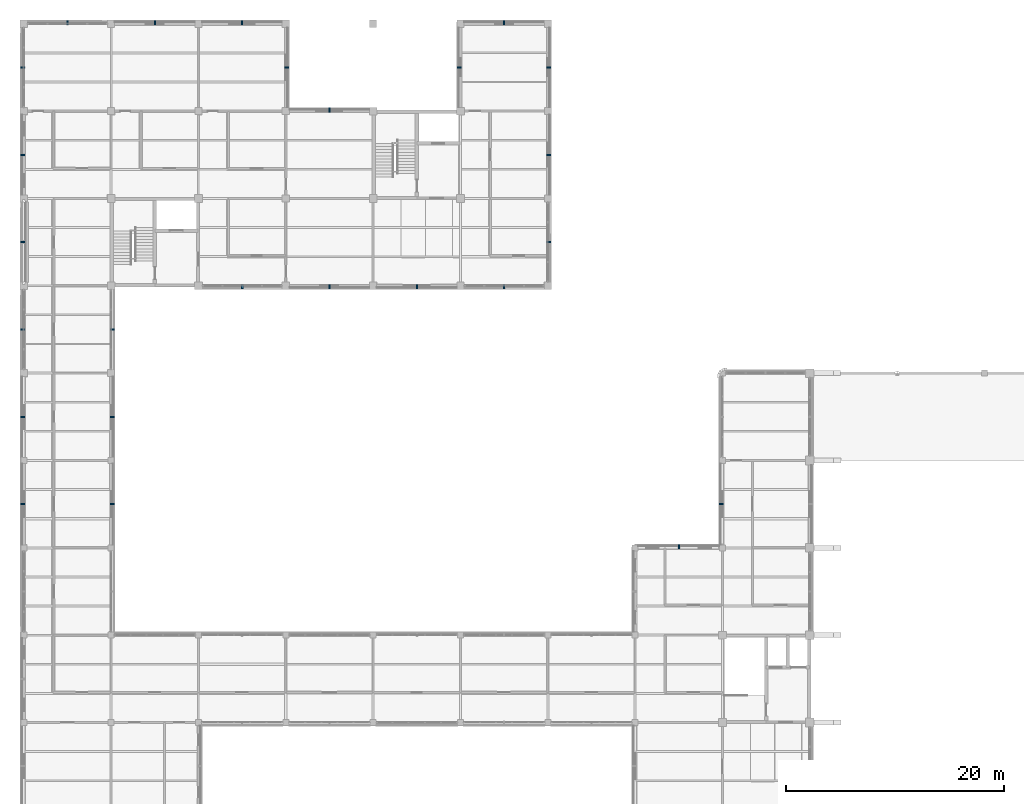
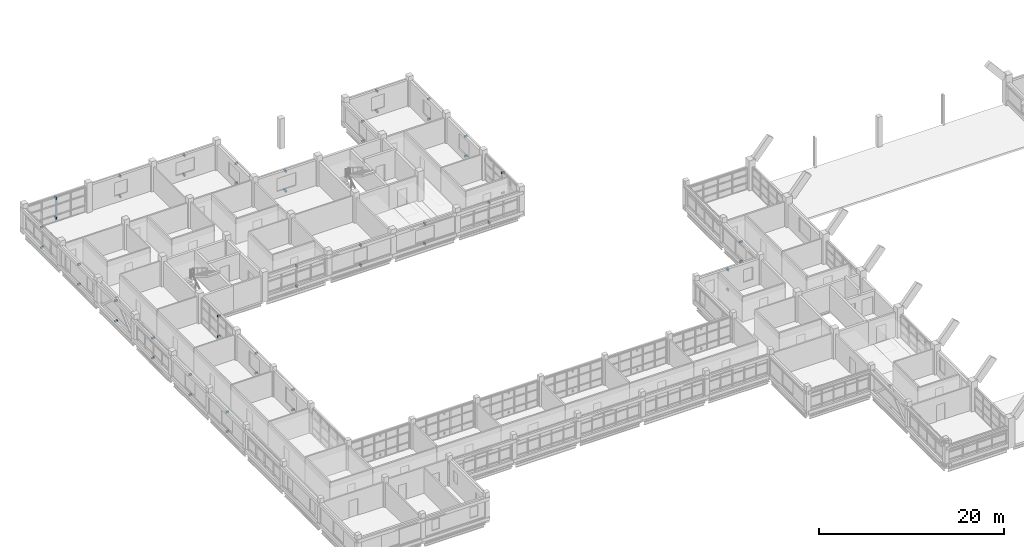
# One storey, part 79 of 92: 50 discrete accessories.
"""IFC4 building model written with IfcOpenShell, lengths in metres."""

from ifc_helpers import new_model, si_unit, derived_unit, direction, frame, origin, origin_2d, place, context, subcontext, project, spatial, rectangle, extrude, material, type_object, element, save


model = new_model("IFC4")

# Units and contexts
model_context = context("Model", 3, precision=1e-05, world=origin(), true_north=direction((0.0, 1.0)))
body_context = subcontext(model_context, "Body", "Model", "MODEL_VIEW")
ifc_project = project(units=[si_unit("LENGTHUNIT", "METRE"), si_unit("AREAUNIT", "SQUARE_METRE"), si_unit("VOLUMEUNIT", "CUBIC_METRE"), si_unit("PLANEANGLEUNIT", "RADIAN"), si_unit("MASSUNIT", "GRAM", prefix="KILO"), derived_unit("THERMALTRANSMITTANCEUNIT", [(si_unit("MASSUNIT", "GRAM", prefix="KILO"), 1), (si_unit("TIMEUNIT", "SECOND"), -3), (si_unit("THERMODYNAMICTEMPERATUREUNIT", "KELVIN"), -1)])], contexts=[model_context])

# Site, building, storey
site_placement = place(None, origin())
site = spatial("IfcSite", under=ifc_project, at=site_placement, CompositionType="ELEMENT")
building_placement = place(site_placement, origin())
building = spatial("IfcBuilding", under=site, at=building_placement, Name="Veyamyaing Civic Hall", CompositionType="ELEMENT")
storey_placement = place(building_placement, frame((0.0, 0.0, 17.820068359375)))
storey = spatial("IfcBuildingStorey", under=building, at=storey_placement, Name="L04", CompositionType="ELEMENT", Elevation=17.820068359375)

# Discrete accessories
ifc_material = material(Name="Steel S355J2", Category="steel")
discrete_accessory_type = type_object("IfcDiscreteAccessoryType", Name="BK-01", PredefinedType="BRACKET", material=ifc_material)
for number, where, z_axis, x_axis, name in (
    (1, (-0.10009765625, 68.0, 2.94482421875), (0.0, 0.0, 1.0), (-1.0, 0.0, 0.0), "Sunshade anchor bracket BK-01 L04 W 1.9"),
    (2, (-0.10009765625, 68.0, 0.35986328125), (0.0, 0.0, 1.0), (-1.0, 0.0, 0.0), "Lower ribbon anchor bracket BK-01 L04 W 1.9"),
    (3, (8.10009765625, 68.0, 3.0087890625), (0.0, 0.0, 1.0), (1.0, 0.0, 0.0), "Sunshade anchor bracket BK-01 L04 E 1.9"),
    (4, (8.10009765625, 68.0, 0.35986328125), (0.0, 0.0, 1.0), (1.0, 0.0, 0.0), "Lower ribbon anchor bracket BK-01 L04 E 1.9"),
    (5, (-0.10009765625, 75.97509765625, 3.02880859375), (0.0, 0.0, 1.0), (-1.0, 0.0, 0.0), "Sunshade anchor bracket BK-01 L04 W 1.10"),
    (6, (-0.10009765625, 75.97509765625, 0.35986328125), (0.0, 0.0, 1.0), (-1.0, 0.0, 0.0), "Lower ribbon anchor bracket BK-01 L04 W 1.10"),
    (7, (8.10009765625, 75.97509765625, 2.96875), (0.0, 0.0, 1.0), (1.0, 0.0, 0.0), "Sunshade anchor bracket BK-01 L04 E 1.10"),
    (8, (8.10009765625, 75.97509765625, 0.35986328125), (0.0, 0.0, 1.0), (1.0, 0.0, 0.0), "Lower ribbon anchor bracket BK-01 L04 E 1.10"),
    (9, (-0.10009765625, 84.0, 2.96875), (0.0, 0.0, 1.0), (-1.0, 0.0, 0.0), "Sunshade anchor bracket BK-01 L04 W 1.11"),
    (10, (-0.10009765625, 84.0, 0.35986328125), (0.0, 0.0, 1.0), (-1.0, 0.0, 0.0), "Lower ribbon anchor bracket BK-01 L04 W 1.11"),
    (11, (8.10009765625, 83.987548828125, 3.03173828125), (0.0, 0.0, 1.0), (1.0, 0.0, 0.0), "Sunshade anchor bracket BK-01 L04 E 1.11"),
    (12, (8.10009765625, 83.987548828125, 0.35986328125), (0.0, 0.0, 1.0), (1.0, 0.0, 0.0), "Lower ribbon anchor bracket BK-01 L04 E 1.11"),
    (13, (-0.10009765625, 92.0, 3.037109375), (0.0, 0.0, 1.0), (-1.0, 0.0, 0.0), "Sunshade anchor bracket BK-01 L04 W 1.12"),
    (14, (-0.10009765625, 92.0, 0.35986328125), (0.0, 0.0, 1.0), (-1.0, 0.0, 0.0), "Lower ribbon anchor bracket BK-01 L04 W 1.12"),
    (15, (-0.10009765625, 100.0, 2.9697265625), (0.0, 0.0, 1.0), (-1.0, 0.0, 0.0), "Sunshade anchor bracket BK-01 L04 W 1.13"),
    (16, (-0.10009765625, 100.0, 0.35986328125), (0.0, 0.0, 1.0), (-1.0, 0.0, 0.0), "Lower ribbon anchor bracket BK-01 L04 W 1.13"),
    (17, (4.0, 112.10009765625, 2.97412109375), (0.0, 0.0, 1.0), (0.0, 1.0, 0.0), "Sunshade anchor bracket BK-01 L04 N 1.14"),
    (18, (4.0, 112.10009765625, 0.35986328125), (0.0, 0.0, 1.0), (0.0, 1.0, 0.0), "Lower ribbon anchor bracket BK-01 L04 N 1.14"),
    (19, (-0.10009765625, 108.0, 3.0341796875), (0.0, 0.0, 1.0), (-1.0, 0.0, 0.0), "Sunshade anchor bracket BK-01 L04 W 1.14"),
    (20, (-0.10009765625, 108.0, 0.35986328125), (0.0, 0.0, 1.0), (-1.0, 0.0, 0.0), "Lower ribbon anchor bracket BK-01 L04 W 1.14"),
    (21, (12.0, 112.10009765625, 3.037109375), (0.0, 0.0, 1.0), (0.0, 1.0, 0.0), "Sunshade anchor bracket BK-01 L04 N 2.14"),
    (22, (12.0, 112.10009765625, 0.35986328125), (0.0, 0.0, 1.0), (0.0, 1.0, 0.0), "Lower ribbon anchor bracket BK-01 L04 N 2.14"),
    (23, (20.012451171875, 87.89990234375, 3.0341796875), (0.0, 0.0, 1.0), (0.0, -1.0, 0.0), "Sunshade anchor bracket BK-01 L04 S 3.12"),
    (24, (20.012451171875, 87.89990234375, 0.35986328125), (0.0, 0.0, 1.0), (0.0, -1.0, 0.0), "Lower ribbon anchor bracket BK-01 L04 S 3.12"),
    (25, (20.0, 112.10009765625, 2.94482421875), (0.0, 0.0, 1.0), (0.0, 1.0, 0.0), "Sunshade anchor bracket BK-01 L04 N 3.14"),
    (26, (20.0, 112.10009765625, 0.35986328125), (0.0, 0.0, 1.0), (0.0, 1.0, 0.0), "Lower ribbon anchor bracket BK-01 L04 N 3.14"),
    (27, (24.10009765625, 108.0, 2.94482421875), (0.0, 0.0, 1.0), (1.0, 0.0, 0.0), "Sunshade anchor bracket BK-01 L04 E 3.14"),
    (28, (24.10009765625, 108.0, 0.35986328125), (0.0, 0.0, 1.0), (1.0, 0.0, 0.0), "Lower ribbon anchor bracket BK-01 L04 E 3.14"),
    (29, (28.0, 87.89990234375, 2.97412109375), (0.0, 0.0, 1.0), (0.0, -1.0, 0.0), "Sunshade anchor bracket BK-01 L04 S 4.12"),
    (30, (28.0, 87.89990234375, 0.35986328125), (0.0, 0.0, 1.0), (0.0, -1.0, 0.0), "Lower ribbon anchor bracket BK-01 L04 S 4.12"),
    (31, (27.987548828125, 104.10009765625, 2.9697265625), (0.0, 0.0, 1.0), (0.0, 1.0, 0.0), "Sunshade anchor bracket BK-01 L04 N 4.13"),
    (32, (27.987548828125, 104.10009765625, 0.35986328125), (0.0, 0.0, 1.0), (0.0, 1.0, 0.0), "Lower ribbon anchor bracket BK-01 L04 N 4.13"),
    (33, (36.0, 87.89990234375, 3.037109375), (0.0, 0.0, 1.0), (0.0, -1.0, 0.0), "Sunshade anchor bracket BK-01 L04 S 5.12"),
    (34, (36.0, 87.89990234375, 0.35986328125), (0.0, 0.0, 1.0), (0.0, -1.0, 0.0), "Lower ribbon anchor bracket BK-01 L04 S 5.12"),
    (35, (44.0, 87.89990234375, 2.9697265625), (0.0, 0.0, 1.0), (0.0, -1.0, 0.0), "Sunshade anchor bracket BK-01 L04 S 6.12"),
    (36, (44.0, 87.89990234375, 0.35986328125), (0.0, 0.0, 1.0), (0.0, -1.0, 0.0), "Lower ribbon anchor bracket BK-01 L04 S 6.12"),
    (37, (48.10009765625, 92.0, 3.0341796875), (0.0, 0.0, 1.0), (1.0, 0.0, 0.0), "Sunshade anchor bracket BK-01 L04 E 6.12"),
    (38, (48.10009765625, 92.0, 0.35986328125), (0.0, 0.0, 1.0), (1.0, 0.0, 0.0), "Lower ribbon anchor bracket BK-01 L04 E 6.12"),
    (39, (48.10009765625, 100.0, 2.97412109375), (0.0, 0.0, 1.0), (1.0, 0.0, 0.0), "Sunshade anchor bracket BK-01 L04 E 6.13"),
    (40, (48.10009765625, 100.0, 0.35986328125), (0.0, 0.0, 1.0), (1.0, 0.0, 0.0), "Lower ribbon anchor bracket BK-01 L04 E 6.13"),
    (41, (44.0, 112.10009765625, 3.037109375), (0.0, 0.0, 1.0), (0.0, 1.0, 0.0), "Sunshade anchor bracket BK-01 L04 N 6.14"),
    (42, (44.0, 112.10009765625, 0.35986328125), (0.0, 0.0, 1.0), (0.0, 1.0, 0.0), "Lower ribbon anchor bracket BK-01 L04 N 6.14"),
    (43, (39.89990234375, 108.012451171875, 2.97412109375), (0.0, 0.0, 1.0), (-1.0, 0.0, 0.0), "Sunshade anchor bracket BK-01 L04 W 6.14"),
    (44, (39.89990234375, 108.012451171875, 0.35986328125), (0.0, 0.0, 1.0), (-1.0, 0.0, 0.0), "Lower ribbon anchor bracket BK-01 L04 W 6.14"),
    (45, (48.10009765625, 108.0, 3.037109375), (0.0, 0.0, 1.0), (1.0, 0.0, 0.0), "Sunshade anchor bracket BK-01 L04 E 6.14"),
    (46, (48.10009765625, 108.0, 0.35986328125), (0.0, 0.0, 1.0), (1.0, 0.0, 0.0), "Lower ribbon anchor bracket BK-01 L04 E 6.14"),
    (47, (60.0, 64.10009765625, 3.01171875), (0.0, 0.0, 1.0), (0.0, 1.0, 0.0), "Sunshade anchor bracket BK-01 L04 N 8.8"),
    (48, (60.0, 64.10009765625, 0.35986328125), (0.0, 0.0, 1.0), (0.0, 1.0, 0.0), "Lower ribbon anchor bracket BK-01 L04 N 8.8"),
    (49, (63.89990234375, 68.0, 2.94482421875), (0.0, 0.0, 1.0), (-1.0, 0.0, 0.0), "Sunshade anchor bracket BK-01 L04 W 9.9"),
    (50, (63.89990234375, 68.0, 0.35986328125), (0.0, 0.0, 1.0), (-1.0, 0.0, 0.0), "Lower ribbon anchor bracket BK-01 L04 W 9.9"),
):
    element("IfcDiscreteAccessory", number, at=place(storey_placement, frame(where, z_axis=z_axis, x_axis=x_axis)), inside=storey, type_object=discrete_accessory_type, Name=name, PredefinedType="BRACKET", context=body_context, shape_type="SweptSolid", body=[
        extrude(rectangle(XDim=0.3798828125, YDim=0.139892578125, at=origin_2d()), origin(), (0.0, 0.0, 1.0), 0.239990234375),
    ])

save(model, "model.ifc")
